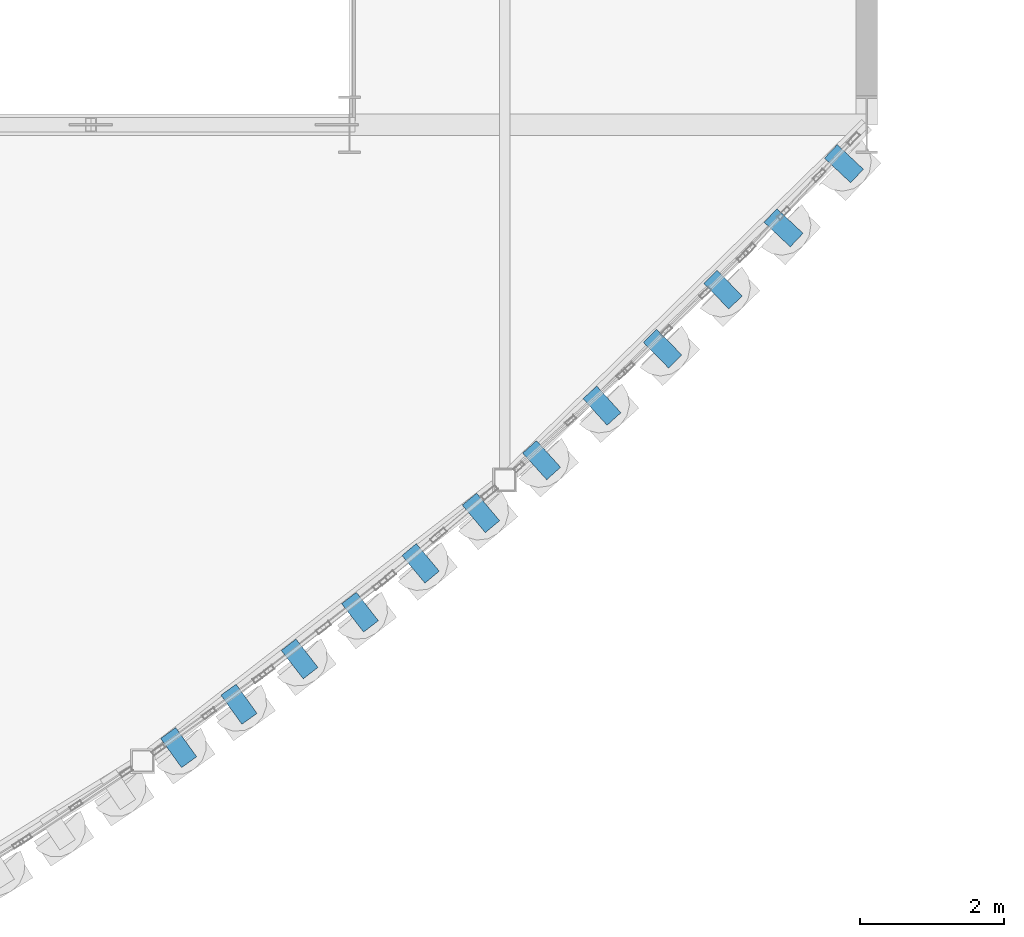
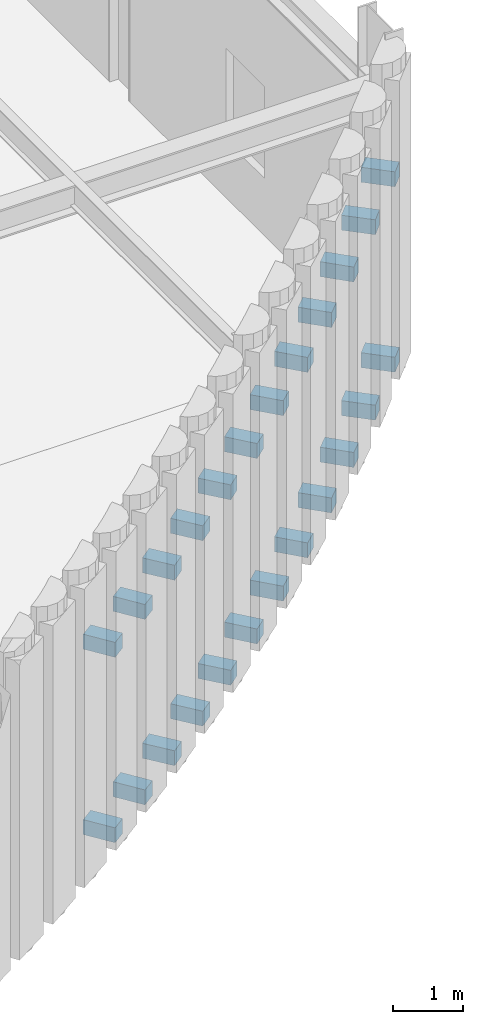
# One storey, part 113 of 126: 24 discrete accessories.
"""IFC4 building model written with IfcOpenShell, lengths in metres."""

from ifc_helpers import new_model, si_unit, direction, frame, origin, origin_2d, place, context, subcontext, project, spatial, rectangle, extrude, material, type_object, element, save


model = new_model("IFC4")

# Units and contexts
model_context = context("Model", 3, precision=1e-05, world=origin(), true_north=direction((0.0, 1.0)))
body_context = subcontext(model_context, "Body", "Model", "MODEL_VIEW")
ifc_project = project(units=[si_unit("LENGTHUNIT", "METRE"), si_unit("AREAUNIT", "SQUARE_METRE"), si_unit("VOLUMEUNIT", "CUBIC_METRE"), si_unit("PLANEANGLEUNIT", "RADIAN"), si_unit("MASSUNIT", "GRAM", prefix="KILO")], contexts=[model_context])

# Site, building, storey
site_placement = place(None, origin())
site = spatial("IfcSite", under=ifc_project, at=site_placement, CompositionType="ELEMENT")
building_placement = place(site_placement, origin())
building = spatial("IfcBuilding", under=site, at=building_placement, Name="Solvadek Multi-Sports Hall", CompositionType="ELEMENT")
storey_placement = place(building_placement, frame((0.0, 0.0, 9.60009765625)))
storey = spatial("IfcBuildingStorey", under=building, at=storey_placement, Name="L02", CompositionType="ELEMENT", Elevation=9.60009765625)

# Discrete accessories
ifc_material = material(Name="Steel E250 (250 MPa)", Category="steel")
discrete_accessory_type = type_object("IfcDiscreteAccessoryType", Name="ENV-BRK-CLEAT", PredefinedType="BRACKET", material=ifc_material)
for number, where, z_axis, x_axis, name in (
    (1, (127.2216796875, -2.6689453125, -0.01025390625), (0.0, 0.0, 1.0), (0.812061184697, 0.583572302554, 0.0), "L02 Screen Fixing Bracket #207"),
    (2, (127.2216796875, -2.6689453125, 3.2197265625), (0.0, 0.0, 1.0), (0.812061184697, 0.583572302554, 0.0), "L02 Screen Fixing Bracket #207"),
    (3, (128.061767578125, -2.0654296875, -0.01025390625), (0.0, 0.0, 1.0), (0.812061184697, 0.583572302554, 0.0), "L02 Screen Fixing Bracket #208"),
    (4, (128.061767578125, -2.0654296875, 3.2197265625), (0.0, 0.0, 1.0), (0.812061184697, 0.583572302554, 0.0), "L02 Screen Fixing Bracket #208"),
    (5, (128.90576171875, -1.43505859375, -0.01025390625), (0.0, 0.0, 1.0), (0.790483393841, 0.61248347248, 0.0), "L02 Screen Fixing Bracket #211"),
    (6, (128.90576171875, -1.43505859375, 3.2197265625), (0.0, 0.0, 1.0), (0.790483393841, 0.61248347248, 0.0), "L02 Screen Fixing Bracket #211"),
    (7, (129.745849609375, -0.7841796875, -0.01025390625), (0.0, 0.0, 1.0), (0.790483393841, 0.61248347248, 0.0), "L02 Screen Fixing Bracket #212"),
    (8, (129.745849609375, -0.7841796875, 3.2197265625), (0.0, 0.0, 1.0), (0.790483393841, 0.61248347248, 0.0), "L02 Screen Fixing Bracket #212"),
    (9, (130.58984375, -0.1044921875, -0.01025390625), (0.0, 0.0, 1.0), (0.767254598934, 0.641342638855, 0.0), "L02 Screen Fixing Bracket #215"),
    (10, (130.58984375, -0.1044921875, 3.2197265625), (0.0, 0.0, 1.0), (0.767254598934, 0.641342638855, 0.0), "L02 Screen Fixing Bracket #215"),
    (11, (131.4296875, 0.59765625, -0.01025390625), (0.0, 0.0, 1.0), (0.767254598934, 0.641342638855, 0.0), "L02 Screen Fixing Bracket #216"),
    (12, (131.4296875, 0.59765625, 3.2197265625), (0.0, 0.0, 1.0), (0.767254598934, 0.641342638855, 0.0), "L02 Screen Fixing Bracket #216"),
    (13, (132.27392578125, 1.33154296875, -0.01025390625), (0.0, 0.0, 1.0), (0.742150841647, 0.670232891048, 0.0), "L02 Screen Fixing Bracket #219"),
    (14, (132.27392578125, 1.33154296875, 3.2197265625), (0.0, 0.0, 1.0), (0.742150841647, 0.670232891048, 0.0), "L02 Screen Fixing Bracket #219"),
    (15, (133.11376953125, 2.090087890625, -0.01025390625), (0.0, 0.0, 1.0), (0.742150841647, 0.670232891048, 0.0), "L02 Screen Fixing Bracket #220"),
    (16, (133.11376953125, 2.090087890625, 3.2197265625), (0.0, 0.0, 1.0), (0.742150841647, 0.670232891048, 0.0), "L02 Screen Fixing Bracket #220"),
    (17, (133.957763671875, 2.884033203125, -0.01025390625), (0.0, 0.0, 1.0), (0.71499957752, 0.699124884514, 0.0), "L02 Screen Fixing Bracket #223"),
    (18, (133.957763671875, 2.884033203125, 3.2197265625), (0.0, 0.0, 1.0), (0.71499957752, 0.699124884514, 0.0), "L02 Screen Fixing Bracket #223"),
    (19, (134.7978515625, 3.705322265625, -0.01025390625), (0.0, 0.0, 1.0), (0.71499957752, 0.699124884514, 0.0), "L02 Screen Fixing Bracket #224"),
    (20, (134.7978515625, 3.705322265625, 3.2197265625), (0.0, 0.0, 1.0), (0.71499957752, 0.699124884514, 0.0), "L02 Screen Fixing Bracket #224"),
    (21, (135.641845703125, 4.566162109375, -0.01025390625), (0.0, 0.0, 1.0), (0.685588703424, 0.727989100013, 0.0), "L02 Screen Fixing Bracket #227"),
    (22, (135.641845703125, 4.566162109375, 3.2197265625), (0.0, 0.0, 1.0), (0.685588703424, 0.727989100013, 0.0), "L02 Screen Fixing Bracket #227"),
    (23, (136.48193359375, 5.4580078125, -0.01025390625), (0.0, 0.0, 1.0), (0.685588703424, 0.727989100013, 0.0), "L02 Screen Fixing Bracket #228"),
    (24, (136.48193359375, 5.4580078125, 3.2197265625), (0.0, 0.0, 1.0), (0.685588703424, 0.727989100013, 0.0), "L02 Screen Fixing Bracket #228"),
):
    element("IfcDiscreteAccessory", number, at=place(storey_placement, frame(where, z_axis=z_axis, x_axis=x_axis)), inside=storey, type_object=discrete_accessory_type, Name=name, PredefinedType="BRACKET", context=body_context, shape_type="SweptSolid", body=[
        extrude(rectangle(XDim=0.260009765625, YDim=0.5, at=origin_2d()), origin(), (0.0, 0.0, 1.0), 0.260009765625),
    ])

save(model, "model.ifc")
